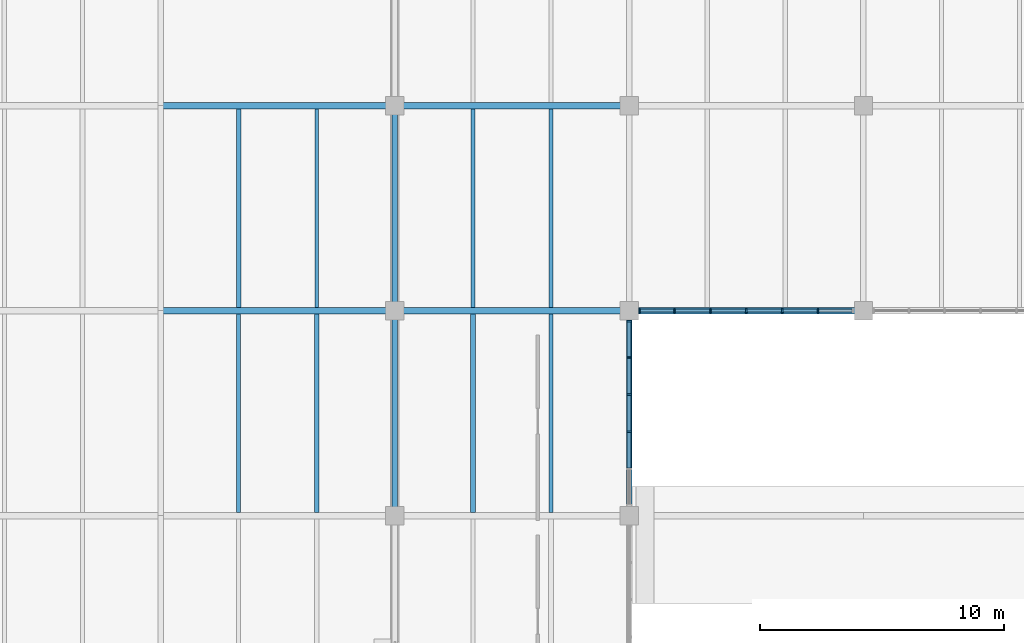
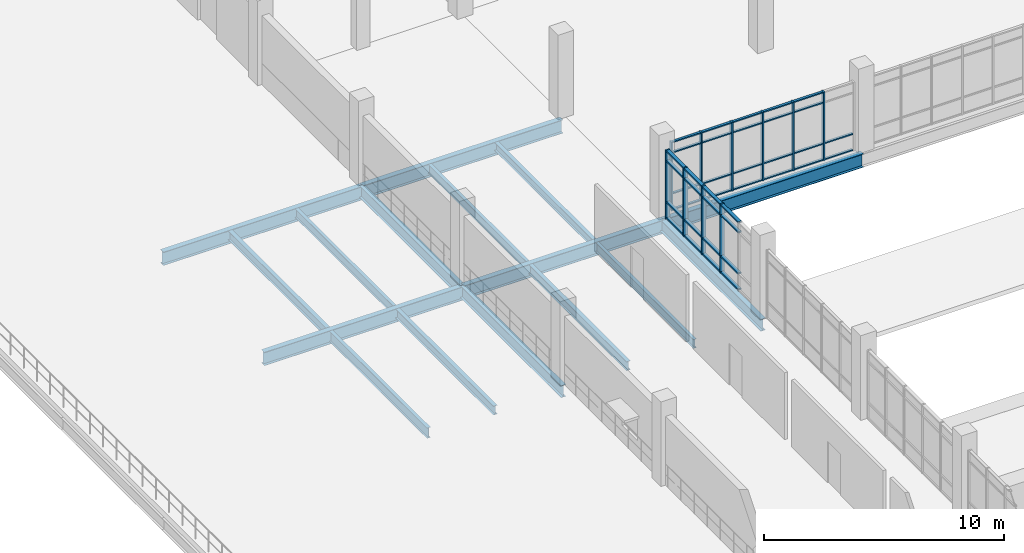
# One storey, part 24 of 86: 48 members, 16 beams, 2 elements without a shape of their own.
"""IFC4 building model written with IfcOpenShell, lengths in metres."""

from ifc_helpers import new_model, si_unit, direction, frame, origin, origin_2d, place, context, subcontext, project, spatial, rectangle, i_section, extrude, material, material_profile, profile_set, type_object, element, aggregate, save


model = new_model("IFC4")

# Units and contexts
model_context = context("Model", 3, precision=1e-05, world=origin(), true_north=direction((0.0, 1.0)))
body_context = subcontext(model_context, "Body", "Model", "MODEL_VIEW")
ifc_project = project(units=[si_unit("LENGTHUNIT", "METRE"), si_unit("AREAUNIT", "SQUARE_METRE"), si_unit("VOLUMEUNIT", "CUBIC_METRE"), si_unit("PLANEANGLEUNIT", "RADIAN"), si_unit("MASSUNIT", "GRAM", prefix="KILO")], contexts=[model_context])

# Site, building, storey
site_placement = place(None, origin())
site = spatial("IfcSite", under=ifc_project, at=site_placement, CompositionType="ELEMENT")
building_placement = place(site_placement, origin())
building = spatial("IfcBuilding", under=site, at=building_placement, Name="Oolite Switchyard Hospital", CompositionType="ELEMENT")
storey_placement = place(building_placement, frame((0.0, 0.0, 13.5)))
storey = spatial("IfcBuildingStorey", under=building, at=storey_placement, Name="L03", CompositionType="ELEMENT", Elevation=13.5)

# Beams
ifc_material_1 = material(Name="Steel ASTM A992 Grade 50", Category="steel")
ifc_material_profile_1 = material_profile(ifc_material_1, i_section(OverallWidth=0.179931640625, OverallDepth=0.4130859375, WebThickness=0.010009765625, FlangeThickness=0.01611328125, at=origin_2d()), Name="W16X50")
ifc_profile_set_1 = profile_set([ifc_material_profile_1], Name="Steel ASTM A992 Grade 50")
beam_type_1 = type_object("IfcBeamType", Name="BM-W16X50", PredefinedType="JOIST", material=ifc_profile_set_1)
beam_1_placement = place(storey_placement, frame((140.800048828125, 58.927001953125, -0.48193359375), z_axis=(0.0, 1.0, 0.0), x_axis=(-1.0, 0.0, 0.0)))
element("IfcBeam", 1, at=beam_1_placement, inside=storey, type_object=beam_type_1, Name="L03 Secondary Steel Joist 2601", PredefinedType="JOIST", context=body_context, shape_type="SweptSolid", body=[
    extrude(i_section(OverallWidth=0.179931640625, OverallDepth=0.4130859375, WebThickness=0.010009765625, FlangeThickness=0.01611328125, at=origin_2d()), origin(), (0.0, 0.0, 1.0), 8.14599609375),
])
ifc_material_profile_2 = material_profile(ifc_material_1, i_section(OverallWidth=0.153076171875, OverallDepth=0.455078125, WebThickness=0.008056640625, FlangeThickness=0.012939453125, at=origin_2d()), Name="W18X40")
ifc_profile_set_2 = profile_set([ifc_material_profile_2], Name="Steel ASTM A992 Grade 50")
beam_type_2 = type_object("IfcBeamType", Name="BM-W18X40", PredefinedType="JOIST", material=ifc_profile_set_2)
for number, where, z_axis, x_axis, name in (
    (2, (131.199951171875, 58.927001953125, -0.51708984375), (0.0, 1.0, 0.0), (-1.0, 0.0, 0.0), "L03 Secondary Steel Joist 2579"),
    (3, (140.800048828125, 50.527099609375, -0.501953125), (0.0, 1.0, 0.0), (-1.0, 0.0, 0.0), "L03 Secondary Steel Joist 2599"),
    (4, (137.60009765625, 58.927001953125, -0.501953125), (0.0, 1.0, 0.0), (-1.0, 0.0, 0.0), "L03 Secondary Steel Joist 2600"),
):
    element("IfcBeam", number, at=place(storey_placement, frame(where, z_axis=z_axis, x_axis=x_axis)), inside=storey, type_object=beam_type_2, Name=name, PredefinedType="JOIST", context=body_context, shape_type="SweptSolid", body=[
        extrude(i_section(OverallWidth=0.153076171875, OverallDepth=0.455078125, WebThickness=0.008056640625, FlangeThickness=0.012939453125, at=origin_2d()), origin(), (0.0, 0.0, 1.0), 8.14599609375),
    ])
ifc_material_profile_3 = material_profile(ifc_material_1, i_section(OverallWidth=0.19091796875, OverallDepth=0.4599609375, WebThickness=0.010009765625, FlangeThickness=0.01611328125, at=origin_2d()), Name="W18X55")
ifc_profile_set_3 = profile_set([ifc_material_profile_3], Name="Steel ASTM A992 Grade 50")
beam_type_3 = type_object("IfcBeamType", Name="BM-W18X55", PredefinedType="JOIST", material=ifc_profile_set_3)
for number, where, z_axis, x_axis, name in (
    (5, (131.199951171875, 50.527099609375, -0.52001953125), (0.0, 1.0, 0.0), (-1.0, 0.0, 0.0), "L03 Secondary Steel Joist 2577"),
    (6, (128.0, 58.927001953125, -0.52001953125), (0.0, 1.0, 0.0), (-1.0, 0.0, 0.0), "L03 Secondary Steel Joist 2578"),
    (7, (137.60009765625, 50.527099609375, -0.5048828125), (0.0, 1.0, 0.0), (-1.0, 0.0, 0.0), "L03 Secondary Steel Joist 2598"),
):
    element("IfcBeam", number, at=place(storey_placement, frame(where, z_axis=z_axis, x_axis=x_axis)), inside=storey, type_object=beam_type_3, Name=name, PredefinedType="JOIST", context=body_context, shape_type="SweptSolid", body=[
        extrude(i_section(OverallWidth=0.19091796875, OverallDepth=0.4599609375, WebThickness=0.010009765625, FlangeThickness=0.01611328125, at=origin_2d()), origin(), (0.0, 0.0, 1.0), 8.14599609375),
    ])
ifc_material_profile_4 = material_profile(ifc_material_1, i_section(OverallWidth=0.166015625, OverallDepth=0.529052734375, WebThickness=0.010009765625, FlangeThickness=0.013916015625, at=origin_2d()), Name="W21X50")
ifc_profile_set_4 = profile_set([ifc_material_profile_4], Name="Steel ASTM A992 Grade 50")
beam_type_4 = type_object("IfcBeamType", Name="BM-W21X50", PredefinedType="JOIST", material=ifc_profile_set_4)
beam_2_placement = place(storey_placement, frame((128.0, 50.527099609375, -0.553955078125), z_axis=(0.0, 1.0, 0.0), x_axis=(-1.0, 0.0, 0.0)))
element("IfcBeam", 8, at=beam_2_placement, inside=storey, type_object=beam_type_4, Name="L03 Secondary Steel Joist 2576", PredefinedType="JOIST", context=body_context, shape_type="SweptSolid", body=[
    extrude(i_section(OverallWidth=0.166015625, OverallDepth=0.529052734375, WebThickness=0.010009765625, FlangeThickness=0.013916015625, at=origin_2d()), origin(), (0.0, 0.0, 1.0), 8.14599609375),
])
ifc_material_profile_5 = material_profile(ifc_material_1, i_section(OverallWidth=0.22900390625, OverallDepth=0.612060546875, WebThickness=0.011962890625, FlangeThickness=0.02001953125, at=origin_2d()), Name="W24X84")
ifc_profile_set_5 = profile_set([ifc_material_profile_5], Name="Steel ASTM A992 Grade 50")
beam_type_5 = type_object("IfcBeamType", Name="BM-W24X84", PredefinedType="BEAM", material=ifc_profile_set_5)
beam_3_placement = place(storey_placement, frame((134.39990234375, 50.39990234375, -0.595947265625), z_axis=(0.0, 1.0, 0.0), x_axis=(-1.0, 0.0, 0.0)))
element("IfcBeam", 9, at=beam_3_placement, inside=storey, type_object=beam_type_5, Name="L03 Y-Girder 2285", PredefinedType="BEAM", context=body_context, shape_type="SweptSolid", body=[
    extrude(i_section(OverallWidth=0.22900390625, OverallDepth=0.612060546875, WebThickness=0.011962890625, FlangeThickness=0.02001953125, at=origin_2d()), origin(), (0.0, 0.0, 1.0), 8.400146484375),
])
beam_4_placement = place(storey_placement, frame((134.39990234375, 58.800048828125, -0.595947265625), z_axis=(0.0, 1.0, 0.0), x_axis=(-1.0, 0.0, 0.0)))
element("IfcBeam", 10, at=beam_4_placement, inside=storey, type_object=beam_type_5, Name="L03 Y-Girder 2286", PredefinedType="BEAM", context=body_context, shape_type="SweptSolid", body=[
    extrude(i_section(OverallWidth=0.22900390625, OverallDepth=0.612060546875, WebThickness=0.011962890625, FlangeThickness=0.02001953125, at=origin_2d()), origin(), (0.0, 0.0, 1.0), 8.39990234375),
])
beam_5_placement = place(storey_placement, frame((144.0, 50.39990234375, -0.5810546875), z_axis=(0.0, 1.0, 0.0), x_axis=(-1.0, 0.0, 0.0)))
element("IfcBeam", 11, at=beam_5_placement, inside=storey, type_object=beam_type_5, Name="L03 Y-Girder 2300", PredefinedType="BEAM", context=body_context, shape_type="SweptSolid", body=[
    extrude(i_section(OverallWidth=0.22900390625, OverallDepth=0.612060546875, WebThickness=0.011962890625, FlangeThickness=0.02001953125, at=origin_2d()), origin(), (0.0, 0.0, 1.0), 8.400146484375),
])
ifc_material_profile_6 = material_profile(ifc_material_1, i_section(OverallWidth=0.25390625, OverallDepth=0.68408203125, WebThickness=0.011962890625, FlangeThickness=0.01904296875, at=origin_2d()), Name="W27X94")
ifc_profile_set_6 = profile_set([ifc_material_profile_6], Name="Steel ASTM A992 Grade 50")
beam_type_6 = type_object("IfcBeamType", Name="BM-W27X94", PredefinedType="BEAM", material=ifc_profile_set_6)
beam_6_placement = place(storey_placement, frame((124.800048828125, 58.800048828125, -0.632080078125), z_axis=(1.0, 0.0, 0.0), x_axis=(0.0, 1.0, 0.0)))
element("IfcBeam", 12, at=beam_6_placement, inside=storey, type_object=beam_type_6, Name="L03 X-Girder 1998", PredefinedType="BEAM", context=body_context, shape_type="SweptSolid", body=[
    extrude(i_section(OverallWidth=0.25390625, OverallDepth=0.68408203125, WebThickness=0.011962890625, FlangeThickness=0.01904296875, at=origin_2d()), origin(), (0.0, 0.0, 1.0), 9.599853515625),
])
for number, where, z_axis, x_axis, name in (
    (13, (134.39990234375, 58.800048828125, -0.616943359375), (1.0, 0.0, 0.0), (0.0, 1.0, 0.0), "L03 X-Girder 1999"),
    (14, (144.0, 58.800048828125, -0.616943359375), (1.0, 0.0, 0.0), (0.0, 1.0, 0.0), "L03 X-Girder 2000"),
):
    element("IfcBeam", number, at=place(storey_placement, frame(where, z_axis=z_axis, x_axis=x_axis)), inside=storey, type_object=beam_type_6, Name=name, PredefinedType="BEAM", context=body_context, shape_type="SweptSolid", body=[
        extrude(i_section(OverallWidth=0.25390625, OverallDepth=0.68408203125, WebThickness=0.011962890625, FlangeThickness=0.01904296875, at=origin_2d()), origin(), (0.0, 0.0, 1.0), 9.60009765625),
    ])
beam_7_placement = place(storey_placement, frame((124.800048828125, 67.199951171875, -0.632080078125), z_axis=(1.0, 0.0, 0.0), x_axis=(0.0, 1.0, 0.0)))
element("IfcBeam", 15, at=beam_7_placement, inside=storey, type_object=beam_type_6, Name="L03 X-Girder 2014", PredefinedType="BEAM", context=body_context, shape_type="SweptSolid", body=[
    extrude(i_section(OverallWidth=0.25390625, OverallDepth=0.68408203125, WebThickness=0.011962890625, FlangeThickness=0.01904296875, at=origin_2d()), origin(), (0.0, 0.0, 1.0), 9.599853515625),
])
beam_8_placement = place(storey_placement, frame((134.39990234375, 67.199951171875, -0.616943359375), z_axis=(1.0, 0.0, 0.0), x_axis=(0.0, 1.0, 0.0)))
element("IfcBeam", 16, at=beam_8_placement, inside=storey, type_object=beam_type_6, Name="L03 X-Girder 2015", PredefinedType="BEAM", context=body_context, shape_type="SweptSolid", body=[
    extrude(i_section(OverallWidth=0.25390625, OverallDepth=0.68408203125, WebThickness=0.011962890625, FlangeThickness=0.01904296875, at=origin_2d()), origin(), (0.0, 0.0, 1.0), 9.60009765625),
])

# Curtain wall, members
ifc_material_2 = material(Name="Thermally broken aluminum frame with laminated impact glazing", Category="aluminium")
curtain_wall_type_1 = type_object("IfcCurtainWallType", Name="CW-UNIT-96X43", PredefinedType="USERDEFINED", material=ifc_material_2)
curtain_wall_1_placement = place(storey_placement, origin())
curtain_wall_1 = element("IfcCurtainWall", 17, at=curtain_wall_1_placement, inside=storey, type_object=curtain_wall_type_1, Name="L03 Unitised Curtain Wall 334", ObjectType="UNITISED", PredefinedType="USERDEFINED")
ifc_material_3 = material(Name="Aluminium 6063-T6", Category="aluminium")
ifc_material_profile_7 = material_profile(ifc_material_3, rectangle(XDim=0.179931640625, YDim=0.070068359375, at=origin_2d()), Name="CWM70X180")
ifc_profile_set_7 = profile_set([ifc_material_profile_7], Name="Aluminium 6063-T6")
member_type_1 = type_object("IfcMemberType", Name="CW-MUL-220", PredefinedType="MULLION", material=ifc_profile_set_7)
member_1_placement = place(storey_placement, frame((151.739990234375, 58.800048828125, 0.0), z_axis=(0.0, 0.0, 1.0), x_axis=(0.0, -1.0, 0.0)))
member_1 = element("IfcMember", 18, at=member_1_placement, type_object=member_type_1, Name="CW-04 mullion 2", PredefinedType="MULLION", context=body_context, shape_type="SweptSolid", body=[
    extrude(rectangle(XDim=0.179931640625, YDim=0.070068359375, at=origin_2d()), origin(), (0.0, 0.0, 1.0), 3.489990234375),
])
member_2_placement = place(storey_placement, frame((150.27001953125, 58.800048828125, 0.0), z_axis=(0.0, 0.0, 1.0), x_axis=(0.0, -1.0, 0.0)))
member_2 = element("IfcMember", 19, at=member_2_placement, type_object=member_type_1, Name="CW-04 mullion 3", PredefinedType="MULLION", context=body_context, shape_type="SweptSolid", body=[
    extrude(rectangle(XDim=0.179931640625, YDim=0.070068359375, at=origin_2d()), origin(), (0.0, 0.0, 1.0), 3.489990234375),
])
member_3_placement = place(storey_placement, frame((148.800048828125, 58.800048828125, 0.0), z_axis=(0.0, 0.0, 1.0), x_axis=(0.0, -1.0, 0.0)))
member_3 = element("IfcMember", 20, at=member_3_placement, type_object=member_type_1, Name="CW-04 mullion 4", PredefinedType="MULLION", context=body_context, shape_type="SweptSolid", body=[
    extrude(rectangle(XDim=0.179931640625, YDim=0.070068359375, at=origin_2d()), origin(), (0.0, 0.0, 1.0), 3.489990234375),
])
member_4_placement = place(storey_placement, frame((147.330078125, 58.800048828125, 0.0), z_axis=(0.0, 0.0, 1.0), x_axis=(0.0, -1.0, 0.0)))
member_4 = element("IfcMember", 21, at=member_4_placement, type_object=member_type_1, Name="CW-04 mullion 5", PredefinedType="MULLION", context=body_context, shape_type="SweptSolid", body=[
    extrude(rectangle(XDim=0.179931640625, YDim=0.070068359375, at=origin_2d()), origin(), (0.0, 0.0, 1.0), 3.489990234375),
])
member_5_placement = place(storey_placement, frame((145.860107421875, 58.800048828125, 0.0), z_axis=(0.0, 0.0, 1.0), x_axis=(0.0, -1.0, 0.0)))
member_5 = element("IfcMember", 22, at=member_5_placement, type_object=member_type_1, Name="CW-04 mullion 6", PredefinedType="MULLION", context=body_context, shape_type="SweptSolid", body=[
    extrude(rectangle(XDim=0.179931640625, YDim=0.070068359375, at=origin_2d()), origin(), (0.0, 0.0, 1.0), 3.489990234375),
])
member_6_placement = place(storey_placement, frame((144.425048828125, 58.800048828125, 0.0), z_axis=(0.0, 0.0, 1.0), x_axis=(0.0, -1.0, 0.0)))
member_6 = element("IfcMember", 23, at=member_6_placement, type_object=member_type_1, Name="CW-04 mullion 7", PredefinedType="MULLION", context=body_context, shape_type="SweptSolid", body=[
    extrude(rectangle(XDim=0.179931640625, YDim=0.070068359375, at=origin_2d()), origin(), (0.0, 0.0, 1.0), 3.489990234375),
])

curtain_wall_type_2 = type_object("IfcCurtainWallType", Name="CW-UNIT-84X43", PredefinedType="USERDEFINED", material=ifc_material_2)
curtain_wall_2_placement = place(storey_placement, origin())
curtain_wall_2 = element("IfcCurtainWall", 24, at=curtain_wall_2_placement, inside=storey, type_object=curtain_wall_type_2, Name="L03 Unitised Curtain Wall 341", ObjectType="UNITISED", PredefinedType="USERDEFINED")
ifc_material_profile_8 = material_profile(ifc_material_3, rectangle(XDim=0.199951171875, YDim=0.074951171875, at=origin_2d()), Name="CWM75X200")
ifc_profile_set_8 = profile_set([ifc_material_profile_8], Name="Aluminium 6063-T6")
member_type_2 = type_object("IfcMemberType", Name="CW-MUL-260", PredefinedType="MULLION", material=ifc_profile_set_8)
member_7_placement = place(storey_placement, frame((144.0, 58.37255859375, 0.0), z_axis=(0.0, 0.0, 1.0), x_axis=(1.0, 0.0, 0.0)))
member_7 = element("IfcMember", 25, at=member_7_placement, type_object=member_type_2, Name="CW-09 mullion 1", PredefinedType="MULLION", context=body_context, shape_type="SweptSolid", body=[
    extrude(rectangle(XDim=0.199951171875, YDim=0.074951171875, at=origin_2d()), origin(), (0.0, 0.0, 1.0), 3.489990234375),
])
member_8_placement = place(storey_placement, frame((144.0, 56.885986328125, 0.0), z_axis=(0.0, 0.0, 1.0), x_axis=(1.0, 0.0, 0.0)))
member_8 = element("IfcMember", 26, at=member_8_placement, type_object=member_type_2, Name="CW-09 mullion 2", PredefinedType="MULLION", context=body_context, shape_type="SweptSolid", body=[
    extrude(rectangle(XDim=0.199951171875, YDim=0.074951171875, at=origin_2d()), origin(), (0.0, 0.0, 1.0), 3.489990234375),
])
member_9_placement = place(storey_placement, frame((144.0, 55.362060546875, 0.0), z_axis=(0.0, 0.0, 1.0), x_axis=(1.0, 0.0, 0.0)))
member_9 = element("IfcMember", 27, at=member_9_placement, type_object=member_type_2, Name="CW-09 mullion 3", PredefinedType="MULLION", context=body_context, shape_type="SweptSolid", body=[
    extrude(rectangle(XDim=0.199951171875, YDim=0.074951171875, at=origin_2d()), origin(), (0.0, 0.0, 1.0), 3.489990234375),
])
member_10_placement = place(storey_placement, frame((144.0, 53.837890625, 0.0), z_axis=(0.0, 0.0, 1.0), x_axis=(1.0, 0.0, 0.0)))
member_10 = element("IfcMember", 28, at=member_10_placement, type_object=member_type_2, Name="CW-09 mullion 4", PredefinedType="MULLION", context=body_context, shape_type="SweptSolid", body=[
    extrude(rectangle(XDim=0.199951171875, YDim=0.074951171875, at=origin_2d()), origin(), (0.0, 0.0, 1.0), 3.489990234375),
])

# Member
ifc_material_profile_9 = material_profile(ifc_material_3, rectangle(XDim=0.1201171875, YDim=0.06005859375, at=origin_2d()), Name="CWT60X120")
ifc_profile_set_9 = profile_set([ifc_material_profile_9], Name="Aluminium 6063-T6")
member_type_3 = type_object("IfcMemberType", Name="CW-TRN-150", PredefinedType="USERDEFINED", material=ifc_profile_set_9)
member_11_placement = place(storey_placement, frame((153.139892578125, 58.800048828125, 0.030029296875), z_axis=(-1.0, 0.0, 0.0), x_axis=(0.0, -1.0, 0.0)))
member_11 = element("IfcMember", 29, at=member_11_placement, type_object=member_type_3, Name="CW-04 transom 1.1", ObjectType="TRANSOM", PredefinedType="USERDEFINED", context=body_context, shape_type="SweptSolid", body=[
    extrude(rectangle(XDim=0.1201171875, YDim=0.06005859375, at=origin_2d()), origin(), (0.0, 0.0, 1.0), 1.364990234375),
])

member_12_placement = place(storey_placement, frame((153.139892578125, 58.800048828125, 0.85009765625), z_axis=(-1.0, 0.0, 0.0), x_axis=(0.0, -1.0, 0.0)))
member_12 = element("IfcMember", 30, at=member_12_placement, type_object=member_type_3, Name="CW-04 transom 1.2", ObjectType="TRANSOM", PredefinedType="USERDEFINED", context=body_context, shape_type="SweptSolid", body=[
    extrude(rectangle(XDim=0.1201171875, YDim=0.06005859375, at=origin_2d()), origin(), (0.0, 0.0, 1.0), 1.364990234375),
])

member_13_placement = place(storey_placement, frame((151.705078125, 58.800048828125, 0.030029296875), z_axis=(-1.0, 0.0, 0.0), x_axis=(0.0, -1.0, 0.0)))
member_13 = element("IfcMember", 31, at=member_13_placement, type_object=member_type_3, Name="CW-04 transom 2.1", ObjectType="TRANSOM", PredefinedType="USERDEFINED", context=body_context, shape_type="SweptSolid", body=[
    extrude(rectangle(XDim=0.1201171875, YDim=0.06005859375, at=origin_2d()), origin(), (0.0, 0.0, 1.0), 1.400146484375),
])

member_14_placement = place(storey_placement, frame((151.705078125, 58.800048828125, 0.85009765625), z_axis=(-1.0, 0.0, 0.0), x_axis=(0.0, -1.0, 0.0)))
member_14 = element("IfcMember", 32, at=member_14_placement, type_object=member_type_3, Name="CW-04 transom 2.2", ObjectType="TRANSOM", PredefinedType="USERDEFINED", context=body_context, shape_type="SweptSolid", body=[
    extrude(rectangle(XDim=0.1201171875, YDim=0.06005859375, at=origin_2d()), origin(), (0.0, 0.0, 1.0), 1.400146484375),
])

member_15_placement = place(storey_placement, frame((151.705078125, 58.800048828125, 2.93994140625), z_axis=(-1.0, 0.0, 0.0), x_axis=(0.0, -1.0, 0.0)))
member_15 = element("IfcMember", 33, at=member_15_placement, type_object=member_type_3, Name="CW-04 transom 2.3", ObjectType="TRANSOM", PredefinedType="USERDEFINED", context=body_context, shape_type="SweptSolid", body=[
    extrude(rectangle(XDim=0.1201171875, YDim=0.06005859375, at=origin_2d()), origin(), (0.0, 0.0, 1.0), 1.400146484375),
])

member_16_placement = place(storey_placement, frame((151.705078125, 58.800048828125, 3.4599609375), z_axis=(-1.0, 0.0, 0.0), x_axis=(0.0, -1.0, 0.0)))
member_16 = element("IfcMember", 34, at=member_16_placement, type_object=member_type_3, Name="CW-04 transom 2.4", ObjectType="TRANSOM", PredefinedType="USERDEFINED", context=body_context, shape_type="SweptSolid", body=[
    extrude(rectangle(XDim=0.1201171875, YDim=0.06005859375, at=origin_2d()), origin(), (0.0, 0.0, 1.0), 1.400146484375),
])

member_17_placement = place(storey_placement, frame((150.235107421875, 58.800048828125, 0.030029296875), z_axis=(-1.0, 0.0, 0.0), x_axis=(0.0, -1.0, 0.0)))
member_17 = element("IfcMember", 35, at=member_17_placement, type_object=member_type_3, Name="CW-04 transom 3.1", ObjectType="TRANSOM", PredefinedType="USERDEFINED", context=body_context, shape_type="SweptSolid", body=[
    extrude(rectangle(XDim=0.1201171875, YDim=0.06005859375, at=origin_2d()), origin(), (0.0, 0.0, 1.0), 1.400146484375),
])

member_18_placement = place(storey_placement, frame((150.235107421875, 58.800048828125, 0.85009765625), z_axis=(-1.0, 0.0, 0.0), x_axis=(0.0, -1.0, 0.0)))
member_18 = element("IfcMember", 36, at=member_18_placement, type_object=member_type_3, Name="CW-04 transom 3.2", ObjectType="TRANSOM", PredefinedType="USERDEFINED", context=body_context, shape_type="SweptSolid", body=[
    extrude(rectangle(XDim=0.1201171875, YDim=0.06005859375, at=origin_2d()), origin(), (0.0, 0.0, 1.0), 1.400146484375),
])

member_19_placement = place(storey_placement, frame((150.235107421875, 58.800048828125, 2.93994140625), z_axis=(-1.0, 0.0, 0.0), x_axis=(0.0, -1.0, 0.0)))
member_19 = element("IfcMember", 37, at=member_19_placement, type_object=member_type_3, Name="CW-04 transom 3.3", ObjectType="TRANSOM", PredefinedType="USERDEFINED", context=body_context, shape_type="SweptSolid", body=[
    extrude(rectangle(XDim=0.1201171875, YDim=0.06005859375, at=origin_2d()), origin(), (0.0, 0.0, 1.0), 1.400146484375),
])

member_20_placement = place(storey_placement, frame((150.235107421875, 58.800048828125, 3.4599609375), z_axis=(-1.0, 0.0, 0.0), x_axis=(0.0, -1.0, 0.0)))
member_20 = element("IfcMember", 38, at=member_20_placement, type_object=member_type_3, Name="CW-04 transom 3.4", ObjectType="TRANSOM", PredefinedType="USERDEFINED", context=body_context, shape_type="SweptSolid", body=[
    extrude(rectangle(XDim=0.1201171875, YDim=0.06005859375, at=origin_2d()), origin(), (0.0, 0.0, 1.0), 1.400146484375),
])

member_21_placement = place(storey_placement, frame((148.764892578125, 58.800048828125, 0.030029296875), z_axis=(-1.0, 0.0, 0.0), x_axis=(0.0, -1.0, 0.0)))
member_21 = element("IfcMember", 39, at=member_21_placement, type_object=member_type_3, Name="CW-04 transom 4.1", ObjectType="TRANSOM", PredefinedType="USERDEFINED", context=body_context, shape_type="SweptSolid", body=[
    extrude(rectangle(XDim=0.1201171875, YDim=0.06005859375, at=origin_2d()), origin(), (0.0, 0.0, 1.0), 1.39990234375),
])

member_22_placement = place(storey_placement, frame((148.764892578125, 58.800048828125, 0.85009765625), z_axis=(-1.0, 0.0, 0.0), x_axis=(0.0, -1.0, 0.0)))
member_22 = element("IfcMember", 40, at=member_22_placement, type_object=member_type_3, Name="CW-04 transom 4.2", ObjectType="TRANSOM", PredefinedType="USERDEFINED", context=body_context, shape_type="SweptSolid", body=[
    extrude(rectangle(XDim=0.1201171875, YDim=0.06005859375, at=origin_2d()), origin(), (0.0, 0.0, 1.0), 1.39990234375),
])

member_23_placement = place(storey_placement, frame((148.764892578125, 58.800048828125, 2.93994140625), z_axis=(-1.0, 0.0, 0.0), x_axis=(0.0, -1.0, 0.0)))
member_23 = element("IfcMember", 41, at=member_23_placement, type_object=member_type_3, Name="CW-04 transom 4.3", ObjectType="TRANSOM", PredefinedType="USERDEFINED", context=body_context, shape_type="SweptSolid", body=[
    extrude(rectangle(XDim=0.1201171875, YDim=0.06005859375, at=origin_2d()), origin(), (0.0, 0.0, 1.0), 1.39990234375),
])

member_24_placement = place(storey_placement, frame((148.764892578125, 58.800048828125, 3.4599609375), z_axis=(-1.0, 0.0, 0.0), x_axis=(0.0, -1.0, 0.0)))
member_24 = element("IfcMember", 42, at=member_24_placement, type_object=member_type_3, Name="CW-04 transom 4.4", ObjectType="TRANSOM", PredefinedType="USERDEFINED", context=body_context, shape_type="SweptSolid", body=[
    extrude(rectangle(XDim=0.1201171875, YDim=0.06005859375, at=origin_2d()), origin(), (0.0, 0.0, 1.0), 1.39990234375),
])

member_25_placement = place(storey_placement, frame((147.294921875, 58.800048828125, 0.030029296875), z_axis=(-1.0, 0.0, 0.0), x_axis=(0.0, -1.0, 0.0)))
member_25 = element("IfcMember", 43, at=member_25_placement, type_object=member_type_3, Name="CW-04 transom 5.1", ObjectType="TRANSOM", PredefinedType="USERDEFINED", context=body_context, shape_type="SweptSolid", body=[
    extrude(rectangle(XDim=0.1201171875, YDim=0.06005859375, at=origin_2d()), origin(), (0.0, 0.0, 1.0), 1.39990234375),
])

member_26_placement = place(storey_placement, frame((147.294921875, 58.800048828125, 0.85009765625), z_axis=(-1.0, 0.0, 0.0), x_axis=(0.0, -1.0, 0.0)))
member_26 = element("IfcMember", 44, at=member_26_placement, type_object=member_type_3, Name="CW-04 transom 5.2", ObjectType="TRANSOM", PredefinedType="USERDEFINED", context=body_context, shape_type="SweptSolid", body=[
    extrude(rectangle(XDim=0.1201171875, YDim=0.06005859375, at=origin_2d()), origin(), (0.0, 0.0, 1.0), 1.39990234375),
])

member_27_placement = place(storey_placement, frame((147.294921875, 58.800048828125, 2.93994140625), z_axis=(-1.0, 0.0, 0.0), x_axis=(0.0, -1.0, 0.0)))
member_27 = element("IfcMember", 45, at=member_27_placement, type_object=member_type_3, Name="CW-04 transom 5.3", ObjectType="TRANSOM", PredefinedType="USERDEFINED", context=body_context, shape_type="SweptSolid", body=[
    extrude(rectangle(XDim=0.1201171875, YDim=0.06005859375, at=origin_2d()), origin(), (0.0, 0.0, 1.0), 1.39990234375),
])

member_28_placement = place(storey_placement, frame((147.294921875, 58.800048828125, 3.4599609375), z_axis=(-1.0, 0.0, 0.0), x_axis=(0.0, -1.0, 0.0)))
member_28 = element("IfcMember", 46, at=member_28_placement, type_object=member_type_3, Name="CW-04 transom 5.4", ObjectType="TRANSOM", PredefinedType="USERDEFINED", context=body_context, shape_type="SweptSolid", body=[
    extrude(rectangle(XDim=0.1201171875, YDim=0.06005859375, at=origin_2d()), origin(), (0.0, 0.0, 1.0), 1.39990234375),
])

member_29_placement = place(storey_placement, frame((145.824951171875, 58.800048828125, 0.030029296875), z_axis=(-1.0, 0.0, 0.0), x_axis=(0.0, -1.0, 0.0)))
member_29 = element("IfcMember", 47, at=member_29_placement, type_object=member_type_3, Name="CW-04 transom 6.1", ObjectType="TRANSOM", PredefinedType="USERDEFINED", context=body_context, shape_type="SweptSolid", body=[
    extrude(rectangle(XDim=0.1201171875, YDim=0.06005859375, at=origin_2d()), origin(), (0.0, 0.0, 1.0), 1.364990234375),
])

member_30_placement = place(storey_placement, frame((145.824951171875, 58.800048828125, 0.85009765625), z_axis=(-1.0, 0.0, 0.0), x_axis=(0.0, -1.0, 0.0)))
member_30 = element("IfcMember", 48, at=member_30_placement, type_object=member_type_3, Name="CW-04 transom 6.2", ObjectType="TRANSOM", PredefinedType="USERDEFINED", context=body_context, shape_type="SweptSolid", body=[
    extrude(rectangle(XDim=0.1201171875, YDim=0.06005859375, at=origin_2d()), origin(), (0.0, 0.0, 1.0), 1.364990234375),
])

member_31_placement = place(storey_placement, frame((145.824951171875, 58.800048828125, 2.93994140625), z_axis=(-1.0, 0.0, 0.0), x_axis=(0.0, -1.0, 0.0)))
member_31 = element("IfcMember", 49, at=member_31_placement, type_object=member_type_3, Name="CW-04 transom 6.3", ObjectType="TRANSOM", PredefinedType="USERDEFINED", context=body_context, shape_type="SweptSolid", body=[
    extrude(rectangle(XDim=0.1201171875, YDim=0.06005859375, at=origin_2d()), origin(), (0.0, 0.0, 1.0), 1.364990234375),
])

member_32_placement = place(storey_placement, frame((145.824951171875, 58.800048828125, 3.4599609375), z_axis=(-1.0, 0.0, 0.0), x_axis=(0.0, -1.0, 0.0)))
member_32 = element("IfcMember", 50, at=member_32_placement, type_object=member_type_3, Name="CW-04 transom 6.4", ObjectType="TRANSOM", PredefinedType="USERDEFINED", context=body_context, shape_type="SweptSolid", body=[
    extrude(rectangle(XDim=0.1201171875, YDim=0.06005859375, at=origin_2d()), origin(), (0.0, 0.0, 1.0), 1.364990234375),
])

aggregate(curtain_wall_1, [member_1, member_2, member_3, member_4, member_5, member_6, member_11, member_12, member_13, member_14, member_15, member_16, member_17, member_18, member_19, member_20, member_21, member_22, member_23, member_24, member_25, member_26, member_27, member_28, member_29, member_30, member_31, member_32])

ifc_material_profile_10 = material_profile(ifc_material_3, rectangle(XDim=0.159912109375, YDim=0.074951171875, at=origin_2d()), Name="CWT75X160")
ifc_profile_set_10 = profile_set([ifc_material_profile_10], Name="Aluminium 6063-T6")
member_type_4 = type_object("IfcMemberType", Name="CW-TRN-180", PredefinedType="USERDEFINED", material=ifc_profile_set_10)
member_33_placement = place(storey_placement, frame((144.0, 58.3349609375, 0.03759765625), z_axis=(0.0, -1.0, 0.0), x_axis=(1.0, 0.0, 0.0)))
member_33 = element("IfcMember", 51, at=member_33_placement, type_object=member_type_4, Name="CW-09 transom 1.1", ObjectType="TRANSOM", PredefinedType="USERDEFINED", context=body_context, shape_type="SweptSolid", body=[
    extrude(rectangle(XDim=0.159912109375, YDim=0.074951171875, at=origin_2d()), origin(), (0.0, 0.0, 1.0), 1.411376953125),
])

member_34_placement = place(storey_placement, frame((144.0, 58.3349609375, 0.85009765625), z_axis=(0.0, -1.0, 0.0), x_axis=(1.0, 0.0, 0.0)))
member_34 = element("IfcMember", 52, at=member_34_placement, type_object=member_type_4, Name="CW-09 transom 1.2", ObjectType="TRANSOM", PredefinedType="USERDEFINED", context=body_context, shape_type="SweptSolid", body=[
    extrude(rectangle(XDim=0.159912109375, YDim=0.074951171875, at=origin_2d()), origin(), (0.0, 0.0, 1.0), 1.411376953125),
])

member_35_placement = place(storey_placement, frame((144.0, 58.3349609375, 2.93994140625), z_axis=(0.0, -1.0, 0.0), x_axis=(1.0, 0.0, 0.0)))
member_35 = element("IfcMember", 53, at=member_35_placement, type_object=member_type_4, Name="CW-09 transom 1.3", ObjectType="TRANSOM", PredefinedType="USERDEFINED", context=body_context, shape_type="SweptSolid", body=[
    extrude(rectangle(XDim=0.159912109375, YDim=0.074951171875, at=origin_2d()), origin(), (0.0, 0.0, 1.0), 1.411376953125),
])

member_36_placement = place(storey_placement, frame((144.0, 58.3349609375, 3.452392578125), z_axis=(0.0, -1.0, 0.0), x_axis=(1.0, 0.0, 0.0)))
member_36 = element("IfcMember", 54, at=member_36_placement, type_object=member_type_4, Name="CW-09 transom 1.4", ObjectType="TRANSOM", PredefinedType="USERDEFINED", context=body_context, shape_type="SweptSolid", body=[
    extrude(rectangle(XDim=0.159912109375, YDim=0.074951171875, at=origin_2d()), origin(), (0.0, 0.0, 1.0), 1.411376953125),
])

member_37_placement = place(storey_placement, frame((144.0, 56.848388671875, 0.03759765625), z_axis=(0.0, -1.0, 0.0), x_axis=(1.0, 0.0, 0.0)))
member_37 = element("IfcMember", 55, at=member_37_placement, type_object=member_type_4, Name="CW-09 transom 2.1", ObjectType="TRANSOM", PredefinedType="USERDEFINED", context=body_context, shape_type="SweptSolid", body=[
    extrude(rectangle(XDim=0.159912109375, YDim=0.074951171875, at=origin_2d()), origin(), (0.0, 0.0, 1.0), 1.448974609375),
])

member_38_placement = place(storey_placement, frame((144.0, 56.848388671875, 0.85009765625), z_axis=(0.0, -1.0, 0.0), x_axis=(1.0, 0.0, 0.0)))
member_38 = element("IfcMember", 56, at=member_38_placement, type_object=member_type_4, Name="CW-09 transom 2.2", ObjectType="TRANSOM", PredefinedType="USERDEFINED", context=body_context, shape_type="SweptSolid", body=[
    extrude(rectangle(XDim=0.159912109375, YDim=0.074951171875, at=origin_2d()), origin(), (0.0, 0.0, 1.0), 1.448974609375),
])

member_39_placement = place(storey_placement, frame((144.0, 56.848388671875, 2.93994140625), z_axis=(0.0, -1.0, 0.0), x_axis=(1.0, 0.0, 0.0)))
member_39 = element("IfcMember", 57, at=member_39_placement, type_object=member_type_4, Name="CW-09 transom 2.3", ObjectType="TRANSOM", PredefinedType="USERDEFINED", context=body_context, shape_type="SweptSolid", body=[
    extrude(rectangle(XDim=0.159912109375, YDim=0.074951171875, at=origin_2d()), origin(), (0.0, 0.0, 1.0), 1.448974609375),
])

member_40_placement = place(storey_placement, frame((144.0, 56.848388671875, 3.452392578125), z_axis=(0.0, -1.0, 0.0), x_axis=(1.0, 0.0, 0.0)))
member_40 = element("IfcMember", 58, at=member_40_placement, type_object=member_type_4, Name="CW-09 transom 2.4", ObjectType="TRANSOM", PredefinedType="USERDEFINED", context=body_context, shape_type="SweptSolid", body=[
    extrude(rectangle(XDim=0.159912109375, YDim=0.074951171875, at=origin_2d()), origin(), (0.0, 0.0, 1.0), 1.448974609375),
])

member_41_placement = place(storey_placement, frame((144.0, 55.324462890625, 0.03759765625), z_axis=(0.0, -1.0, 0.0), x_axis=(1.0, 0.0, 0.0)))
member_41 = element("IfcMember", 59, at=member_41_placement, type_object=member_type_4, Name="CW-09 transom 3.1", ObjectType="TRANSOM", PredefinedType="USERDEFINED", context=body_context, shape_type="SweptSolid", body=[
    extrude(rectangle(XDim=0.159912109375, YDim=0.074951171875, at=origin_2d()), origin(), (0.0, 0.0, 1.0), 1.448974609375),
])

member_42_placement = place(storey_placement, frame((144.0, 55.324462890625, 0.85009765625), z_axis=(0.0, -1.0, 0.0), x_axis=(1.0, 0.0, 0.0)))
member_42 = element("IfcMember", 60, at=member_42_placement, type_object=member_type_4, Name="CW-09 transom 3.2", ObjectType="TRANSOM", PredefinedType="USERDEFINED", context=body_context, shape_type="SweptSolid", body=[
    extrude(rectangle(XDim=0.159912109375, YDim=0.074951171875, at=origin_2d()), origin(), (0.0, 0.0, 1.0), 1.448974609375),
])

member_43_placement = place(storey_placement, frame((144.0, 55.324462890625, 2.93994140625), z_axis=(0.0, -1.0, 0.0), x_axis=(1.0, 0.0, 0.0)))
member_43 = element("IfcMember", 61, at=member_43_placement, type_object=member_type_4, Name="CW-09 transom 3.3", ObjectType="TRANSOM", PredefinedType="USERDEFINED", context=body_context, shape_type="SweptSolid", body=[
    extrude(rectangle(XDim=0.159912109375, YDim=0.074951171875, at=origin_2d()), origin(), (0.0, 0.0, 1.0), 1.448974609375),
])

member_44_placement = place(storey_placement, frame((144.0, 55.324462890625, 3.452392578125), z_axis=(0.0, -1.0, 0.0), x_axis=(1.0, 0.0, 0.0)))
member_44 = element("IfcMember", 62, at=member_44_placement, type_object=member_type_4, Name="CW-09 transom 3.4", ObjectType="TRANSOM", PredefinedType="USERDEFINED", context=body_context, shape_type="SweptSolid", body=[
    extrude(rectangle(XDim=0.159912109375, YDim=0.074951171875, at=origin_2d()), origin(), (0.0, 0.0, 1.0), 1.448974609375),
])

member_45_placement = place(storey_placement, frame((144.0, 53.800537109375, 0.03759765625), z_axis=(0.0, -1.0, 0.0), x_axis=(1.0, 0.0, 0.0)))
member_45 = element("IfcMember", 63, at=member_45_placement, type_object=member_type_4, Name="CW-09 transom 4.1", ObjectType="TRANSOM", PredefinedType="USERDEFINED", context=body_context, shape_type="SweptSolid", body=[
    extrude(rectangle(XDim=0.159912109375, YDim=0.074951171875, at=origin_2d()), origin(), (0.0, 0.0, 1.0), 1.448974609375),
])

member_46_placement = place(storey_placement, frame((144.0, 53.800537109375, 0.85009765625), z_axis=(0.0, -1.0, 0.0), x_axis=(1.0, 0.0, 0.0)))
member_46 = element("IfcMember", 64, at=member_46_placement, type_object=member_type_4, Name="CW-09 transom 4.2", ObjectType="TRANSOM", PredefinedType="USERDEFINED", context=body_context, shape_type="SweptSolid", body=[
    extrude(rectangle(XDim=0.159912109375, YDim=0.074951171875, at=origin_2d()), origin(), (0.0, 0.0, 1.0), 1.448974609375),
])

member_47_placement = place(storey_placement, frame((144.0, 53.800537109375, 2.93994140625), z_axis=(0.0, -1.0, 0.0), x_axis=(1.0, 0.0, 0.0)))
member_47 = element("IfcMember", 65, at=member_47_placement, type_object=member_type_4, Name="CW-09 transom 4.3", ObjectType="TRANSOM", PredefinedType="USERDEFINED", context=body_context, shape_type="SweptSolid", body=[
    extrude(rectangle(XDim=0.159912109375, YDim=0.074951171875, at=origin_2d()), origin(), (0.0, 0.0, 1.0), 1.448974609375),
])

member_48_placement = place(storey_placement, frame((144.0, 53.800537109375, 3.452392578125), z_axis=(0.0, -1.0, 0.0), x_axis=(1.0, 0.0, 0.0)))
member_48 = element("IfcMember", 66, at=member_48_placement, type_object=member_type_4, Name="CW-09 transom 4.4", ObjectType="TRANSOM", PredefinedType="USERDEFINED", context=body_context, shape_type="SweptSolid", body=[
    extrude(rectangle(XDim=0.159912109375, YDim=0.074951171875, at=origin_2d()), origin(), (0.0, 0.0, 1.0), 1.448974609375),
])

aggregate(curtain_wall_2, [member_7, member_8, member_9, member_10, member_33, member_34, member_35, member_36, member_37, member_38, member_39, member_40, member_41, member_42, member_43, member_44, member_45, member_46, member_47, member_48])

save(model, "model.ifc")
